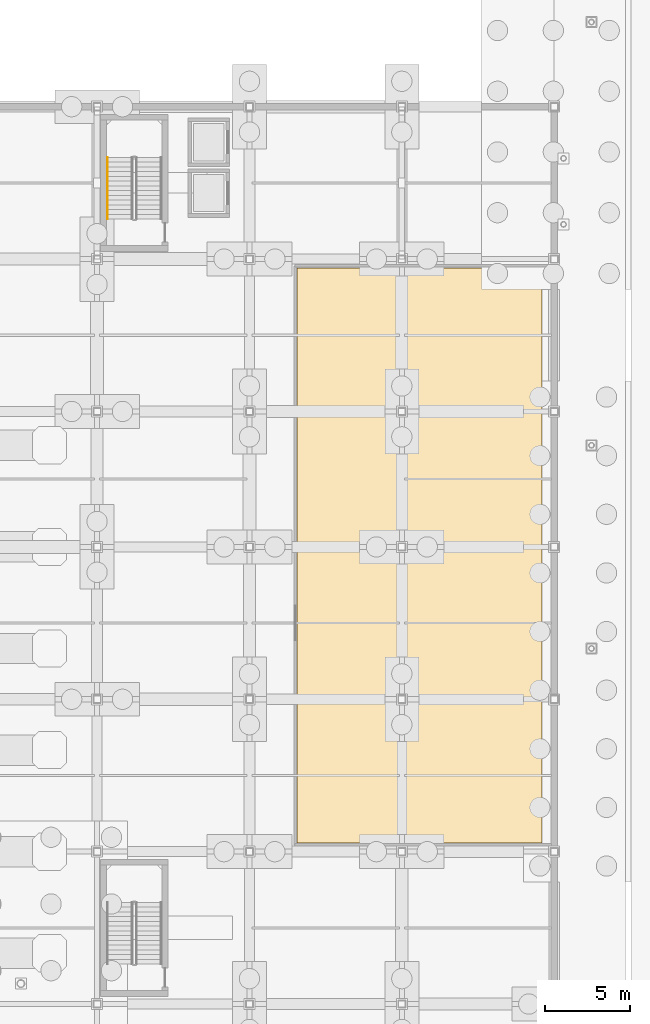
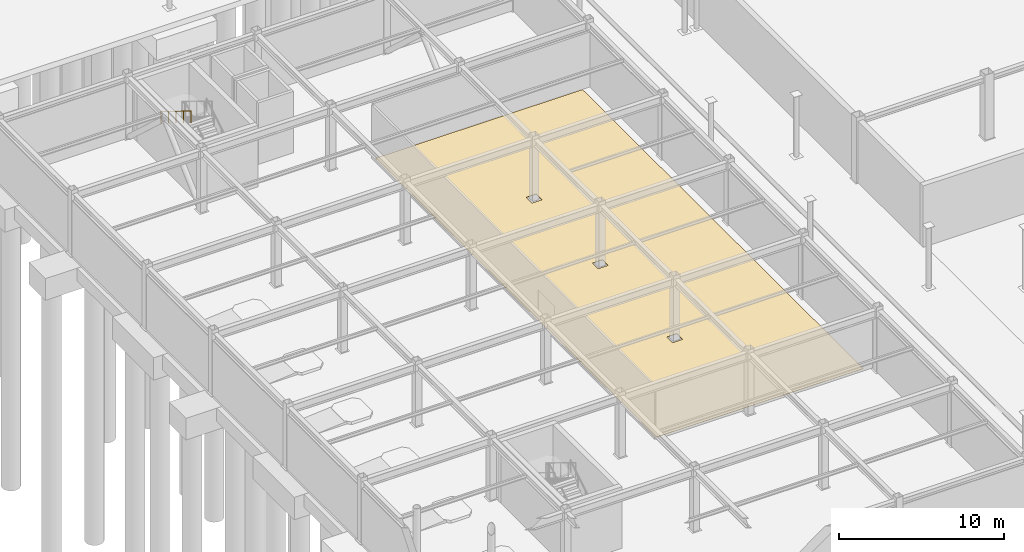
# One storey, part 62 of 74: 1 covering, 1 railing.
"""IFC4 building model written with IfcOpenShell, lengths in metres."""

from ifc_helpers import new_model, si_unit, direction, frame, origin, origin_2d, place, context, subcontext, project, spatial, polyline, circle, outline, extrude, material, layer, layer_set, type_object, element, save


model = new_model("IFC4")

# Units and contexts
model_context = context("Model", 3, precision=1e-05, world=origin(), true_north=direction((0.0, 1.0)))
body_context = subcontext(model_context, "Body", "Model", "MODEL_VIEW")
ifc_project = project(units=[si_unit("LENGTHUNIT", "METRE"), si_unit("AREAUNIT", "SQUARE_METRE"), si_unit("VOLUMEUNIT", "CUBIC_METRE"), si_unit("PLANEANGLEUNIT", "RADIAN"), si_unit("MASSUNIT", "GRAM", prefix="KILO")], contexts=[model_context])

# Site, building, storey
site_placement = place(None, origin())
site = spatial("IfcSite", under=ifc_project, at=site_placement, CompositionType="ELEMENT")
building_placement = place(site_placement, origin())
building = spatial("IfcBuilding", under=site, at=building_placement, Name="Suzunagisa Mobility Hub", CompositionType="ELEMENT")
storey_placement = place(building_placement, frame((0.0, 0.0, -4.800048828125)))
storey = spatial("IfcBuildingStorey", under=building, at=storey_placement, Name="B1", CompositionType="ELEMENT", Elevation=-4.800048828125)

# Covering
ifc_material_1 = material(Name="Polished Aggregate Terrazzo Finish")
ifc_layer = layer(ifc_material_1, 0.02001953125)
ifc_layer_set = layer_set([ifc_layer], Name="Polished Aggregate Terrazzo Finish")
covering_type = type_object("IfcCoveringType", Name="Polished Terrazzo Heavy-Traffic Flooring FLR-01", PredefinedType="FLOORING", material=ifc_layer_set)
covering_placement = place(storey_placement, origin())
element("IfcCovering", 1, at=covering_placement, inside=storey, type_object=covering_type, Name="B1 Cycle Maintenance and Spare Parts Store B1 Terrazzo Flooring", PredefinedType="FLOORING", context=body_context, shape_type="SweptSolid", body=[
    extrude(outline(polyline([(20.820068359375, 52.47998046875), (35.280029296875, 52.47998046875), (35.280029296875, 18.52001953125), (20.820068359375, 18.52001953125), (20.820068359375, 52.47998046875)]), holes=[polyline([(26.655029296875, 26.655029296875), (27.344970703125, 26.655029296875), (27.344970703125, 27.344970703125), (26.655029296875, 27.344970703125), (26.655029296875, 26.655029296875)]), polyline([(26.655029296875, 36.344970703125), (26.655029296875, 35.655029296875), (27.344970703125, 35.655029296875), (27.344970703125, 36.344970703125), (26.655029296875, 36.344970703125)]), polyline([(27.344970703125, 44.344970703125), (26.655029296875, 44.344970703125), (26.655029296875, 43.655029296875), (27.344970703125, 43.655029296875), (27.344970703125, 44.344970703125)])]), origin(), (0.0, 0.0, 1.0), 0.02001953125),
])

# Railing
ifc_material_2 = material(Name="Stainless Steel SUS304", Category="metal")
railing_type = type_object("IfcRailingType", Name="Tubular Stainless Stair Handrail IHR-01", PredefinedType="HANDRAIL", material=ifc_material_2)
railing_placement = place(storey_placement, frame((9.610107421875, 59.0, 2.571533203125)))
element("IfcRailing", 2, at=railing_placement, inside=storey, type_object=railing_type, Name="B1 ST-01 stair handrail 2", PredefinedType="HANDRAIL", context=body_context, shape_type="SweptSolid", body=[
    extrude(circle(Radius=0.02392578125, at=origin_2d()), frame((0.0, 0.0, 0.8759765625), z_axis=(0.0, -0.852850264322, 0.5221555579), x_axis=(1.0, 0.0, 0.0)), (0.0, 0.0, 1.0), 4.267822265625),
    extrude(circle(Radius=0.02099609375, at=origin_2d()), origin(), (0.0, 0.0, 1.0), 0.851806640625),
    extrude(circle(Radius=0.02099609375, at=origin_2d()), frame((0.0, -0.909912109375, 0.55712890625)), (0.0, 0.0, 1.0), 0.851806640625),
    extrude(circle(Radius=0.02099609375, at=origin_2d()), frame((0.0, -1.81982421875, 1.1142578125)), (0.0, 0.0, 1.0), 0.851806640625),
    extrude(circle(Radius=0.02099609375, at=origin_2d()), frame((0.0, -2.72998046875, 1.67138671875)), (0.0, 0.0, 1.0), 0.851806640625),
    extrude(circle(Radius=0.02099609375, at=origin_2d()), frame((0.0, -3.639892578125, 2.228515625)), (0.0, 0.0, 1.0), 0.851806640625),
])

save(model, "model.ifc")
